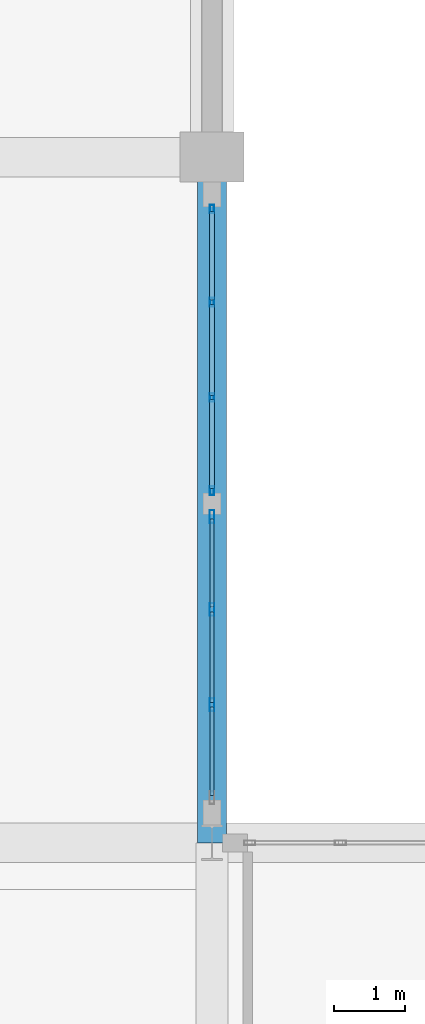
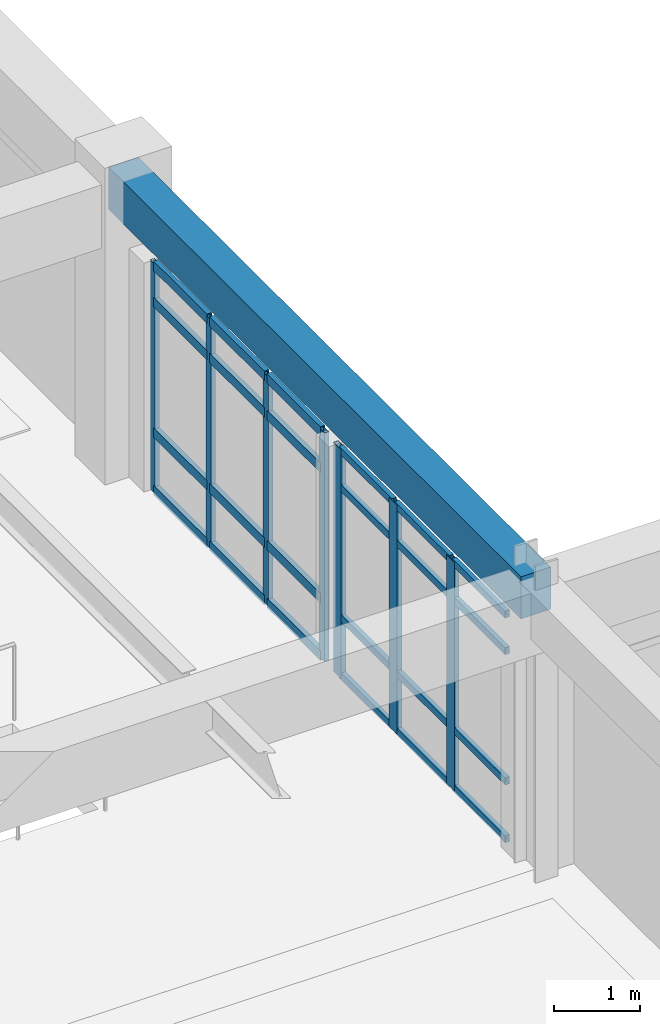
# One storey, part 36 of 80: 31 members, 1 beam, 2 elements without a shape of their own.
"""IFC4 building model written with IfcOpenShell, lengths in metres."""

from ifc_helpers import new_model, si_unit, direction, frame, origin, origin_2d, place, context, subcontext, project, spatial, rectangle, hollow_rectangle, extrude, material, layer, layer_set, material_profile, profile_set, type_object, element, aggregate, save


model = new_model("IFC4")

# Units and contexts
model_context = context("Model", 3, precision=1e-05, world=origin(), true_north=direction((0.0, 1.0)))
body_context = subcontext(model_context, "Body", "Model", "MODEL_VIEW")
ifc_project = project(units=[si_unit("LENGTHUNIT", "METRE"), si_unit("AREAUNIT", "SQUARE_METRE"), si_unit("VOLUMEUNIT", "CUBIC_METRE"), si_unit("PLANEANGLEUNIT", "RADIAN"), si_unit("MASSUNIT", "GRAM", prefix="KILO")], contexts=[model_context])

# Site, building, storey
site_placement = place(None, origin())
site = spatial("IfcSite", under=ifc_project, at=site_placement, CompositionType="ELEMENT")
building_placement = place(site_placement, origin())
building = spatial("IfcBuilding", under=site, at=building_placement, Name="Fikremerkos Civic Library", CompositionType="ELEMENT")
storey_placement = place(building_placement, frame((0.0, 0.0, 9.89990234375)))
storey = spatial("IfcBuildingStorey", under=building, at=storey_placement, Name="L02", CompositionType="ELEMENT", Elevation=9.89990234375)

# Curtain wall, members
ifc_material_1 = material(Name="Anodized aluminium Frame", Category="aluminium")
ifc_layer_1 = layer(ifc_material_1, 0.159912109375, Name="Anodized aluminium Frame")
ifc_layer_set_1 = layer_set([ifc_layer_1], Name="Anodized aluminium Frame")
curtain_wall_type_1 = type_object("IfcCurtainWallType", Name="Unitised curtain wall CW-05 3800x4100", PredefinedType="USERDEFINED", material=ifc_layer_set_1)
curtain_wall_1_placement = place(storey_placement, origin())
curtain_wall_1 = element("IfcCurtainWall", 1, at=curtain_wall_1_placement, inside=storey, type_object=curtain_wall_type_1, Name="Unitised curtain wall CW-05 L02 #167", ObjectType="UNITISED CURTAIN WALL", PredefinedType="USERDEFINED")
ifc_material_profile_1 = material_profile(ifc_material_1, hollow_rectangle(XDim=0.06494140625, YDim=0.179931640625, WallThickness=0.00439453125, at=origin_2d()), Name="ALU 180x65x4.5")
ifc_profile_set_1 = profile_set([ifc_material_profile_1], Name="Anodized aluminium Frame")
member_type_1 = type_object("IfcMemberType", Name="Curtain mullion CWM-01 ALU 180x65x4.5", PredefinedType="MULLION", material=ifc_profile_set_1)
member_1_placement = place(storey_placement, frame((100.199951171875, 35.767578125, 0.0), z_axis=(0.0, 0.0, 1.0), x_axis=(1.0, 0.0, 0.0)))
member_1 = element("IfcMember", 2, at=member_1_placement, type_object=member_type_1, Name="CW-05 mullion 1", PredefinedType="MULLION", context=body_context, shape_type="SweptSolid", body=[
    extrude(hollow_rectangle(XDim=0.06494140625, YDim=0.179931640625, WallThickness=0.00439453125, at=origin_2d()), origin(), (0.0, 0.0, 1.0), 3.25),
])
member_2_placement = place(storey_placement, frame((100.199951171875, 34.466064453125, 0.0), z_axis=(0.0, 0.0, 1.0), x_axis=(1.0, 0.0, 0.0)))
member_2 = element("IfcMember", 3, at=member_2_placement, type_object=member_type_1, Name="CW-05 mullion 2", PredefinedType="MULLION", context=body_context, shape_type="SweptSolid", body=[
    extrude(hollow_rectangle(XDim=0.06494140625, YDim=0.179931640625, WallThickness=0.00439453125, at=origin_2d()), origin(), (0.0, 0.0, 1.0), 3.25),
])
member_3_placement = place(storey_placement, frame((100.199951171875, 33.132080078125, 0.0), z_axis=(0.0, 0.0, 1.0), x_axis=(1.0, 0.0, 0.0)))
member_3 = element("IfcMember", 4, at=member_3_placement, type_object=member_type_1, Name="CW-05 mullion 3", PredefinedType="MULLION", context=body_context, shape_type="SweptSolid", body=[
    extrude(hollow_rectangle(XDim=0.06494140625, YDim=0.179931640625, WallThickness=0.00439453125, at=origin_2d()), origin(), (0.0, 0.0, 1.0), 3.25),
])

ifc_layer_2 = layer(ifc_material_1, 0.159912109375, Name="Anodized aluminium Frame")
ifc_layer_set_2 = layer_set([ifc_layer_2], Name="Anodized aluminium Frame")
curtain_wall_type_2 = type_object("IfcCurtainWallType", Name="Unitised curtain wall CW-04 3400x3600", PredefinedType="USERDEFINED", material=ifc_layer_set_2)
curtain_wall_2_placement = place(storey_placement, origin())
curtain_wall_2 = element("IfcCurtainWall", 5, at=curtain_wall_2_placement, inside=storey, type_object=curtain_wall_type_2, Name="Unitised curtain wall CW-04 L02 #166", ObjectType="UNITISED CURTAIN WALL", PredefinedType="USERDEFINED")
ifc_material_profile_2 = material_profile(ifc_material_1, hollow_rectangle(XDim=0.06005859375, YDim=0.1201171875, WallThickness=0.00390625, at=origin_2d()), Name="ALU 120x60x4")
ifc_profile_set_2 = profile_set([ifc_material_profile_2], Name="Anodized aluminium Frame")
member_type_2 = type_object("IfcMemberType", Name="Curtain mullion CWM-04 ALU 120x60x4", PredefinedType="MULLION", material=ifc_profile_set_2)
member_4_placement = place(storey_placement, frame((100.199951171875, 40.072021484375, 0.0), z_axis=(0.0, 0.0, 1.0), x_axis=(1.0, 0.0, 0.0)))
member_4 = element("IfcMember", 6, at=member_4_placement, type_object=member_type_2, Name="CW-04 mullion 1", PredefinedType="MULLION", context=body_context, shape_type="SweptSolid", body=[
    extrude(hollow_rectangle(XDim=0.06005859375, YDim=0.1201171875, WallThickness=0.00390625, at=origin_2d()), origin(), (0.0, 0.0, 1.0), 3.25),
])
member_5_placement = place(storey_placement, frame((100.199951171875, 38.76806640625, 0.0), z_axis=(0.0, 0.0, 1.0), x_axis=(1.0, 0.0, 0.0)))
member_5 = element("IfcMember", 7, at=member_5_placement, type_object=member_type_2, Name="CW-04 mullion 2", PredefinedType="MULLION", context=body_context, shape_type="SweptSolid", body=[
    extrude(hollow_rectangle(XDim=0.06005859375, YDim=0.1201171875, WallThickness=0.00390625, at=origin_2d()), origin(), (0.0, 0.0, 1.0), 3.25),
])
member_6_placement = place(storey_placement, frame((100.199951171875, 37.43408203125, 0.0), z_axis=(0.0, 0.0, 1.0), x_axis=(1.0, 0.0, 0.0)))
member_6 = element("IfcMember", 8, at=member_6_placement, type_object=member_type_2, Name="CW-04 mullion 3", PredefinedType="MULLION", context=body_context, shape_type="SweptSolid", body=[
    extrude(hollow_rectangle(XDim=0.06005859375, YDim=0.1201171875, WallThickness=0.00390625, at=origin_2d()), origin(), (0.0, 0.0, 1.0), 3.25),
])
member_7_placement = place(storey_placement, frame((100.199951171875, 36.1298828125, 0.0), z_axis=(0.0, 0.0, 1.0), x_axis=(1.0, 0.0, 0.0)))
member_7 = element("IfcMember", 9, at=member_7_placement, type_object=member_type_2, Name="CW-04 mullion 4", PredefinedType="MULLION", context=body_context, shape_type="SweptSolid", body=[
    extrude(hollow_rectangle(XDim=0.06005859375, YDim=0.1201171875, WallThickness=0.00390625, at=origin_2d()), origin(), (0.0, 0.0, 1.0), 3.25),
])
ifc_material_profile_3 = material_profile(ifc_material_1, hollow_rectangle(XDim=0.06494140625, YDim=0.135009765625, WallThickness=0.00439453125, at=origin_2d()), Name="ALU 135x65x4.5")
ifc_profile_set_3 = profile_set([ifc_material_profile_3], Name="Anodized aluminium Frame")
member_type_3 = type_object("IfcMemberType", Name="Curtain transom CWT-02 ALU 135x65x4.5", PredefinedType="USERDEFINED", material=ifc_profile_set_3)
member_8_placement = place(storey_placement, frame((100.199951171875, 40.0419921875, 0.03271484375), z_axis=(0.0, -1.0, 0.0), x_axis=(1.0, 0.0, 0.0)))
member_8 = element("IfcMember", 10, at=member_8_placement, type_object=member_type_3, Name="CW-04 transom 1.1", ObjectType="TRANSOM", PredefinedType="USERDEFINED", context=body_context, shape_type="SweptSolid", body=[
    extrude(hollow_rectangle(XDim=0.06494140625, YDim=0.135009765625, WallThickness=0.00439453125, at=origin_2d()), origin(), (0.0, 0.0, 1.0), 1.243896484375),
])
member_9_placement = place(storey_placement, frame((100.199951171875, 40.0419921875, 0.85009765625), z_axis=(0.0, -1.0, 0.0), x_axis=(1.0, 0.0, 0.0)))
member_9 = element("IfcMember", 11, at=member_9_placement, type_object=member_type_3, Name="CW-04 transom 1.2", ObjectType="TRANSOM", PredefinedType="USERDEFINED", context=body_context, shape_type="SweptSolid", body=[
    extrude(hollow_rectangle(XDim=0.06494140625, YDim=0.135009765625, WallThickness=0.00439453125, at=origin_2d()), origin(), (0.0, 0.0, 1.0), 1.243896484375),
])
member_10_placement = place(storey_placement, frame((100.199951171875, 40.0419921875, 2.7001953125), z_axis=(0.0, -1.0, 0.0), x_axis=(1.0, 0.0, 0.0)))
member_10 = element("IfcMember", 12, at=member_10_placement, type_object=member_type_3, Name="CW-04 transom 1.3", ObjectType="TRANSOM", PredefinedType="USERDEFINED", context=body_context, shape_type="SweptSolid", body=[
    extrude(hollow_rectangle(XDim=0.06494140625, YDim=0.135009765625, WallThickness=0.00439453125, at=origin_2d()), origin(), (0.0, 0.0, 1.0), 1.243896484375),
])
member_11_placement = place(storey_placement, frame((100.199951171875, 40.0419921875, 3.217529296875), z_axis=(0.0, -1.0, 0.0), x_axis=(1.0, 0.0, 0.0)))
member_11 = element("IfcMember", 13, at=member_11_placement, type_object=member_type_3, Name="CW-04 transom 1.4", ObjectType="TRANSOM", PredefinedType="USERDEFINED", context=body_context, shape_type="SweptSolid", body=[
    extrude(hollow_rectangle(XDim=0.06494140625, YDim=0.135009765625, WallThickness=0.00439453125, at=origin_2d()), origin(), (0.0, 0.0, 1.0), 1.243896484375),
])
member_12_placement = place(storey_placement, frame((100.199951171875, 38.738037109375, 0.03271484375), z_axis=(0.0, -1.0, 0.0), x_axis=(1.0, 0.0, 0.0)))
member_12 = element("IfcMember", 14, at=member_12_placement, type_object=member_type_3, Name="CW-04 transom 2.1", ObjectType="TRANSOM", PredefinedType="USERDEFINED", context=body_context, shape_type="SweptSolid", body=[
    extrude(hollow_rectangle(XDim=0.06494140625, YDim=0.135009765625, WallThickness=0.00439453125, at=origin_2d()), origin(), (0.0, 0.0, 1.0), 1.27392578125),
])
member_13_placement = place(storey_placement, frame((100.199951171875, 38.738037109375, 0.85009765625), z_axis=(0.0, -1.0, 0.0), x_axis=(1.0, 0.0, 0.0)))
member_13 = element("IfcMember", 15, at=member_13_placement, type_object=member_type_3, Name="CW-04 transom 2.2", ObjectType="TRANSOM", PredefinedType="USERDEFINED", context=body_context, shape_type="SweptSolid", body=[
    extrude(hollow_rectangle(XDim=0.06494140625, YDim=0.135009765625, WallThickness=0.00439453125, at=origin_2d()), origin(), (0.0, 0.0, 1.0), 1.27392578125),
])
member_14_placement = place(storey_placement, frame((100.199951171875, 38.738037109375, 2.7001953125), z_axis=(0.0, -1.0, 0.0), x_axis=(1.0, 0.0, 0.0)))
member_14 = element("IfcMember", 16, at=member_14_placement, type_object=member_type_3, Name="CW-04 transom 2.3", ObjectType="TRANSOM", PredefinedType="USERDEFINED", context=body_context, shape_type="SweptSolid", body=[
    extrude(hollow_rectangle(XDim=0.06494140625, YDim=0.135009765625, WallThickness=0.00439453125, at=origin_2d()), origin(), (0.0, 0.0, 1.0), 1.27392578125),
])
member_15_placement = place(storey_placement, frame((100.199951171875, 38.738037109375, 3.217529296875), z_axis=(0.0, -1.0, 0.0), x_axis=(1.0, 0.0, 0.0)))
member_15 = element("IfcMember", 17, at=member_15_placement, type_object=member_type_3, Name="CW-04 transom 2.4", ObjectType="TRANSOM", PredefinedType="USERDEFINED", context=body_context, shape_type="SweptSolid", body=[
    extrude(hollow_rectangle(XDim=0.06494140625, YDim=0.135009765625, WallThickness=0.00439453125, at=origin_2d()), origin(), (0.0, 0.0, 1.0), 1.27392578125),
])
member_16_placement = place(storey_placement, frame((100.199951171875, 37.404052734375, 0.03271484375), z_axis=(0.0, -1.0, 0.0), x_axis=(1.0, 0.0, 0.0)))
member_16 = element("IfcMember", 18, at=member_16_placement, type_object=member_type_3, Name="CW-04 transom 3.1", ObjectType="TRANSOM", PredefinedType="USERDEFINED", context=body_context, shape_type="SweptSolid", body=[
    extrude(hollow_rectangle(XDim=0.06494140625, YDim=0.135009765625, WallThickness=0.00439453125, at=origin_2d()), origin(), (0.0, 0.0, 1.0), 1.244140625),
])
member_17_placement = place(storey_placement, frame((100.199951171875, 37.404052734375, 0.85009765625), z_axis=(0.0, -1.0, 0.0), x_axis=(1.0, 0.0, 0.0)))
member_17 = element("IfcMember", 19, at=member_17_placement, type_object=member_type_3, Name="CW-04 transom 3.2", ObjectType="TRANSOM", PredefinedType="USERDEFINED", context=body_context, shape_type="SweptSolid", body=[
    extrude(hollow_rectangle(XDim=0.06494140625, YDim=0.135009765625, WallThickness=0.00439453125, at=origin_2d()), origin(), (0.0, 0.0, 1.0), 1.244140625),
])
member_18_placement = place(storey_placement, frame((100.199951171875, 37.404052734375, 2.7001953125), z_axis=(0.0, -1.0, 0.0), x_axis=(1.0, 0.0, 0.0)))
member_18 = element("IfcMember", 20, at=member_18_placement, type_object=member_type_3, Name="CW-04 transom 3.3", ObjectType="TRANSOM", PredefinedType="USERDEFINED", context=body_context, shape_type="SweptSolid", body=[
    extrude(hollow_rectangle(XDim=0.06494140625, YDim=0.135009765625, WallThickness=0.00439453125, at=origin_2d()), origin(), (0.0, 0.0, 1.0), 1.244140625),
])
member_19_placement = place(storey_placement, frame((100.199951171875, 37.404052734375, 3.217529296875), z_axis=(0.0, -1.0, 0.0), x_axis=(1.0, 0.0, 0.0)))
member_19 = element("IfcMember", 21, at=member_19_placement, type_object=member_type_3, Name="CW-04 transom 3.4", ObjectType="TRANSOM", PredefinedType="USERDEFINED", context=body_context, shape_type="SweptSolid", body=[
    extrude(hollow_rectangle(XDim=0.06494140625, YDim=0.135009765625, WallThickness=0.00439453125, at=origin_2d()), origin(), (0.0, 0.0, 1.0), 1.244140625),
])
aggregate(curtain_wall_2, [member_4, member_5, member_6, member_7, member_8, member_9, member_10, member_11, member_12, member_13, member_14, member_15, member_16, member_17, member_18, member_19])

# Member
ifc_material_profile_4 = material_profile(ifc_material_1, hollow_rectangle(XDim=0.06005859375, YDim=0.10009765625, WallThickness=0.00390625, at=origin_2d()), Name="ALU 100x60x4")
ifc_profile_set_4 = profile_set([ifc_material_profile_4], Name="Anodized aluminium Frame")
member_type_4 = type_object("IfcMemberType", Name="Curtain transom CWT-03 ALU 100x60x4", PredefinedType="USERDEFINED", material=ifc_profile_set_4)
member_20_placement = place(storey_placement, frame((100.199951171875, 35.735107421875, 0.030029296875), z_axis=(0.0, -1.0, 0.0), x_axis=(1.0, 0.0, 0.0)))
member_20 = element("IfcMember", 22, at=member_20_placement, type_object=member_type_4, Name="CW-05 transom 1.1", ObjectType="TRANSOM", PredefinedType="USERDEFINED", context=body_context, shape_type="SweptSolid", body=[
    extrude(hollow_rectangle(XDim=0.06005859375, YDim=0.10009765625, WallThickness=0.00390625, at=origin_2d()), origin(), (0.0, 0.0, 1.0), 1.236572265625),
])

member_21_placement = place(storey_placement, frame((100.199951171875, 35.735107421875, 0.85009765625), z_axis=(0.0, -1.0, 0.0), x_axis=(1.0, 0.0, 0.0)))
member_21 = element("IfcMember", 23, at=member_21_placement, type_object=member_type_4, Name="CW-05 transom 1.2", ObjectType="TRANSOM", PredefinedType="USERDEFINED", context=body_context, shape_type="SweptSolid", body=[
    extrude(hollow_rectangle(XDim=0.06005859375, YDim=0.10009765625, WallThickness=0.00390625, at=origin_2d()), origin(), (0.0, 0.0, 1.0), 1.236572265625),
])

member_22_placement = place(storey_placement, frame((100.199951171875, 35.735107421875, 2.7001953125), z_axis=(0.0, -1.0, 0.0), x_axis=(1.0, 0.0, 0.0)))
member_22 = element("IfcMember", 24, at=member_22_placement, type_object=member_type_4, Name="CW-05 transom 1.3", ObjectType="TRANSOM", PredefinedType="USERDEFINED", context=body_context, shape_type="SweptSolid", body=[
    extrude(hollow_rectangle(XDim=0.06005859375, YDim=0.10009765625, WallThickness=0.00390625, at=origin_2d()), origin(), (0.0, 0.0, 1.0), 1.236572265625),
])

member_23_placement = place(storey_placement, frame((100.199951171875, 35.735107421875, 3.22021484375), z_axis=(0.0, -1.0, 0.0), x_axis=(1.0, 0.0, 0.0)))
member_23 = element("IfcMember", 25, at=member_23_placement, type_object=member_type_4, Name="CW-05 transom 1.4", ObjectType="TRANSOM", PredefinedType="USERDEFINED", context=body_context, shape_type="SweptSolid", body=[
    extrude(hollow_rectangle(XDim=0.06005859375, YDim=0.10009765625, WallThickness=0.00390625, at=origin_2d()), origin(), (0.0, 0.0, 1.0), 1.236572265625),
])

member_24_placement = place(storey_placement, frame((100.199951171875, 34.43359375, 0.030029296875), z_axis=(0.0, -1.0, 0.0), x_axis=(1.0, 0.0, 0.0)))
member_24 = element("IfcMember", 26, at=member_24_placement, type_object=member_type_4, Name="CW-05 transom 2.1", ObjectType="TRANSOM", PredefinedType="USERDEFINED", context=body_context, shape_type="SweptSolid", body=[
    extrude(hollow_rectangle(XDim=0.06005859375, YDim=0.10009765625, WallThickness=0.00390625, at=origin_2d()), origin(), (0.0, 0.0, 1.0), 1.26904296875),
])

member_25_placement = place(storey_placement, frame((100.199951171875, 34.43359375, 0.85009765625), z_axis=(0.0, -1.0, 0.0), x_axis=(1.0, 0.0, 0.0)))
member_25 = element("IfcMember", 27, at=member_25_placement, type_object=member_type_4, Name="CW-05 transom 2.2", ObjectType="TRANSOM", PredefinedType="USERDEFINED", context=body_context, shape_type="SweptSolid", body=[
    extrude(hollow_rectangle(XDim=0.06005859375, YDim=0.10009765625, WallThickness=0.00390625, at=origin_2d()), origin(), (0.0, 0.0, 1.0), 1.26904296875),
])

member_26_placement = place(storey_placement, frame((100.199951171875, 34.43359375, 2.7001953125), z_axis=(0.0, -1.0, 0.0), x_axis=(1.0, 0.0, 0.0)))
member_26 = element("IfcMember", 28, at=member_26_placement, type_object=member_type_4, Name="CW-05 transom 2.3", ObjectType="TRANSOM", PredefinedType="USERDEFINED", context=body_context, shape_type="SweptSolid", body=[
    extrude(hollow_rectangle(XDim=0.06005859375, YDim=0.10009765625, WallThickness=0.00390625, at=origin_2d()), origin(), (0.0, 0.0, 1.0), 1.26904296875),
])

member_27_placement = place(storey_placement, frame((100.199951171875, 34.43359375, 3.22021484375), z_axis=(0.0, -1.0, 0.0), x_axis=(1.0, 0.0, 0.0)))
member_27 = element("IfcMember", 29, at=member_27_placement, type_object=member_type_4, Name="CW-05 transom 2.4", ObjectType="TRANSOM", PredefinedType="USERDEFINED", context=body_context, shape_type="SweptSolid", body=[
    extrude(hollow_rectangle(XDim=0.06005859375, YDim=0.10009765625, WallThickness=0.00390625, at=origin_2d()), origin(), (0.0, 0.0, 1.0), 1.26904296875),
])

member_28_placement = place(storey_placement, frame((100.199951171875, 33.099609375, 0.030029296875), z_axis=(0.0, -1.0, 0.0), x_axis=(1.0, 0.0, 0.0)))
member_28 = element("IfcMember", 30, at=member_28_placement, type_object=member_type_4, Name="CW-05 transom 3.1", ObjectType="TRANSOM", PredefinedType="USERDEFINED", context=body_context, shape_type="SweptSolid", body=[
    extrude(hollow_rectangle(XDim=0.06005859375, YDim=0.10009765625, WallThickness=0.00390625, at=origin_2d()), origin(), (0.0, 0.0, 1.0), 1.236572265625),
])

member_29_placement = place(storey_placement, frame((100.199951171875, 33.099609375, 0.85009765625), z_axis=(0.0, -1.0, 0.0), x_axis=(1.0, 0.0, 0.0)))
member_29 = element("IfcMember", 31, at=member_29_placement, type_object=member_type_4, Name="CW-05 transom 3.2", ObjectType="TRANSOM", PredefinedType="USERDEFINED", context=body_context, shape_type="SweptSolid", body=[
    extrude(hollow_rectangle(XDim=0.06005859375, YDim=0.10009765625, WallThickness=0.00390625, at=origin_2d()), origin(), (0.0, 0.0, 1.0), 1.236572265625),
])

member_30_placement = place(storey_placement, frame((100.199951171875, 33.099609375, 2.7001953125), z_axis=(0.0, -1.0, 0.0), x_axis=(1.0, 0.0, 0.0)))
member_30 = element("IfcMember", 32, at=member_30_placement, type_object=member_type_4, Name="CW-05 transom 3.3", ObjectType="TRANSOM", PredefinedType="USERDEFINED", context=body_context, shape_type="SweptSolid", body=[
    extrude(hollow_rectangle(XDim=0.06005859375, YDim=0.10009765625, WallThickness=0.00390625, at=origin_2d()), origin(), (0.0, 0.0, 1.0), 1.236572265625),
])

member_31_placement = place(storey_placement, frame((100.199951171875, 33.099609375, 3.22021484375), z_axis=(0.0, -1.0, 0.0), x_axis=(1.0, 0.0, 0.0)))
member_31 = element("IfcMember", 33, at=member_31_placement, type_object=member_type_4, Name="CW-05 transom 3.4", ObjectType="TRANSOM", PredefinedType="USERDEFINED", context=body_context, shape_type="SweptSolid", body=[
    extrude(hollow_rectangle(XDim=0.06005859375, YDim=0.10009765625, WallThickness=0.00390625, at=origin_2d()), origin(), (0.0, 0.0, 1.0), 1.236572265625),
])

aggregate(curtain_wall_1, [member_1, member_2, member_3, member_20, member_21, member_22, member_23, member_24, member_25, member_26, member_27, member_28, member_29, member_30, member_31])

# Beam
ifc_material_2 = material(Name="Concrete C40/50", Category="concrete")
ifc_material_profile_5 = material_profile(ifc_material_2, rectangle(XDim=0.39990234375, YDim=0.60009765625, at=origin_2d()), Name="RC 400x600")
ifc_profile_set_5 = profile_set([ifc_material_profile_5], Name="Concrete C40/50")
beam_type = type_object("IfcBeamType", Name="Primary girder BM-08 RC 400x600", PredefinedType="BEAM", material=ifc_profile_set_5)
beam_placement = place(storey_placement, frame((100.199951171875, 31.199951171875, 3.920166015625), z_axis=(0.0, 1.0, 0.0), x_axis=(-1.0, 0.0, 0.0)))
element("IfcBeam", 34, at=beam_placement, inside=storey, type_object=beam_type, Name="Primary girder BM-08 L02 grid 9", PredefinedType="BEAM", context=body_context, shape_type="SweptSolid", body=[
    extrude(rectangle(XDim=0.39990234375, YDim=0.60009765625, at=origin_2d()), origin(), (0.0, 0.0, 1.0), 9.60009765625),
])

save(model, "model.ifc")
